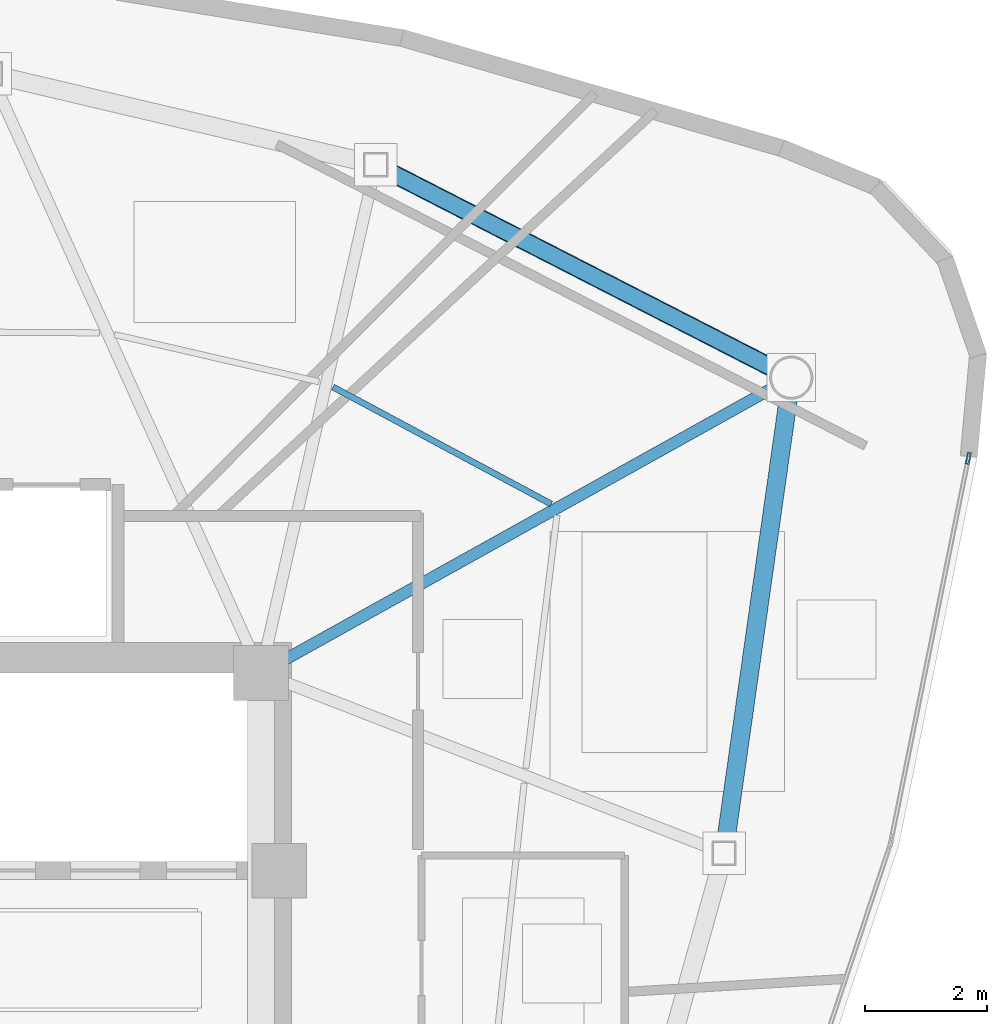
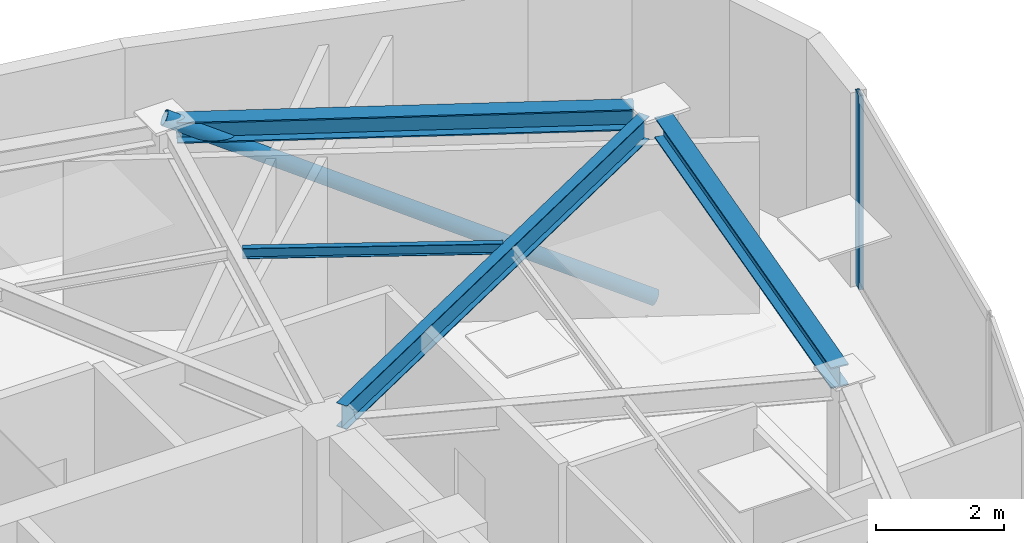
# One storey, part 6 of 13: 4 beams, 2 members, 1 element without a shape of its own.
"""IFC4 building model written with IfcOpenShell, lengths in metres."""

import ifcopenshell
import ifcopenshell.guid

model = None  # the IFC model being written
_history = None  # IfcOwnerHistory: only IFC2X3 demands one
_inside = {}  # id of a spatial element -> (the spatial element, [elements in it])
_under = {}  # id of a project, library or spatial element -> (it, [spatial elements below it])
_declared = {}  # id of a project -> (the project, [libraries it declares])
_typed = {}  # id of a type object -> (the type object, [elements of that type])
_made_of = {}  # id of a material, layer set ... -> (it, [elements and type objects made of it])


def new_model(schema):
    """Start an empty IFC model of exactly this schema.

    Asked for "IFC4X3", IfcOpenShell would pick the latest addendum, in which some entities
    have other attributes; the version numbers below select the first issue.
    IFC2X3 requires an IfcOwnerHistory on every rooted entity: one is made here for all.
    """
    global model, _history
    if schema == "IFC4X3":
        model = ifcopenshell.file(schema_version=(4, 3, 0, 0))
    else:
        model = ifcopenshell.file(schema=schema)
    _inside.clear()
    _under.clear()
    _declared.clear()
    _typed.clear()
    _made_of.clear()
    _history = None
    if model.schema == "IFC2X3":
        org = make("IfcOrganization", Name="unknown")
        user = make(
            "IfcPersonAndOrganization",
            ThePerson=make("IfcPerson", FamilyName="unknown"),
            TheOrganization=org,
        )
        app = make(
            "IfcApplication",
            ApplicationDeveloper=org,
            Version="unknown",
            ApplicationFullName="unknown",
            ApplicationIdentifier="unknown",
        )
        _history = make(
            "IfcOwnerHistory",
            OwningUser=user,
            OwningApplication=app,
            ChangeAction="ADDED",
            CreationDate=0,
        )
    return model


def make(cls, **values):
    """One entity of the class cls with the attributes given. An attribute that is None is left unset."""
    return model.create_entity(
        cls, **{name: value for name, value in values.items() if value is not None}
    )


def rooted(cls, **values):
    """An entity with a GlobalId (a new one), such as an element, a storey or a relation."""
    return make(cls, GlobalId=ifcopenshell.guid.new(), OwnerHistory=_history, **values)


def si_unit(unit_type, name, prefix=None):
    """IfcSIUnit, for example si_unit("LENGTHUNIT", "METRE", prefix="MILLI")."""
    return make("IfcSIUnit", UnitType=unit_type, Prefix=prefix, Name=name)


def assignment(units):
    """IfcUnitAssignment: the units of a project."""
    return None if units is None else make("IfcUnitAssignment", Units=units)


def point(xyz):
    """IfcCartesianPoint."""
    return None if xyz is None else make("IfcCartesianPoint", Coordinates=xyz)


def direction(xyz):
    """IfcDirection."""
    return None if xyz is None else make("IfcDirection", DirectionRatios=xyz)


def frame(location, z_axis=None, x_axis=None):
    """IfcAxis2Placement3D, a coordinate frame: its origin and axes. An axis left out is left unset."""
    return make(
        "IfcAxis2Placement3D",
        Location=point(location),
        Axis=direction(z_axis),
        RefDirection=direction(x_axis),
    )


def frame_2d(location, x_axis=None):
    """IfcAxis2Placement2D, a coordinate frame in the plane: its origin and x axis."""
    return make(
        "IfcAxis2Placement2D", Location=point(location), RefDirection=direction(x_axis)
    )


def origin():
    """The frame at (0, 0, 0) with its axes left unset."""
    return frame((0.0, 0.0, 0.0))


def origin_2d():
    """The frame at (0, 0) in the plane with its x axis left unset."""
    return frame_2d((0.0, 0.0))


def place(relative_to, where):
    """IfcLocalPlacement: puts the frame where relative to a parent placement (None: the world)."""
    return make(
        "IfcLocalPlacement", PlacementRelTo=relative_to, RelativePlacement=where
    )


def context(
    kind, dimensions, precision=None, world=None, true_north=None, identifier=None
):
    """IfcGeometricRepresentationContext, for example the 3D "Model" context."""
    return make(
        "IfcGeometricRepresentationContext",
        ContextIdentifier=identifier,
        ContextType=kind,
        CoordinateSpaceDimension=dimensions,
        Precision=precision,
        WorldCoordinateSystem=world,
        TrueNorth=true_north,
    )


def subcontext(parent, identifier, kind, view, scale=None):
    """IfcGeometricRepresentationSubContext, for example "Body" below "Model"."""
    return make(
        "IfcGeometricRepresentationSubContext",
        ContextIdentifier=identifier,
        ContextType=kind,
        ParentContext=parent,
        TargetScale=scale,
        TargetView=view,
    )


def project(units=None, contexts=None):
    """IfcProject with its units and contexts."""
    return rooted(
        "IfcProject",
        Name="project",
        RepresentationContexts=contexts,
        UnitsInContext=assignment(units),
    )


def spatial(cls, under=None, at=None, **own):
    """A site, building, storey or space (cls), placed at a placement, below another one or the project."""
    s = rooted(cls, ObjectPlacement=at, **own)
    if under is not None:
        _under.setdefault(under.id(), (under, []))[1].append(s)
    return s


def profile(cls, at=None, kind="AREA", **sizes):
    """A parametric profile (cls). Its sizes go by their IFC names, for example OverallWidth=200.0."""
    return make(cls, ProfileType=kind, Position=at, **sizes)


def hollow_rectangle(**sizes):
    """IfcRectangleHollowProfileDef."""
    return profile("IfcRectangleHollowProfileDef", **sizes)


def hollow_circle(**sizes):
    """IfcCircleHollowProfileDef."""
    return profile("IfcCircleHollowProfileDef", **sizes)


def i_section(**sizes):
    """IfcIShapeProfileDef."""
    return profile("IfcIShapeProfileDef", **sizes)


def extrude(swept, where, along, depth):
    """IfcExtrudedAreaSolid: the profile swept, set in the frame where, extruded along a direction by depth."""
    return make(
        "IfcExtrudedAreaSolid",
        SweptArea=swept,
        Position=where,
        ExtrudedDirection=direction(along),
        Depth=depth,
    )


def shape(context_of_items, identifier, shape_type, items):
    """IfcShapeRepresentation: the items that make up one representation, for example the "Body"."""
    return make(
        "IfcShapeRepresentation",
        ContextOfItems=context_of_items,
        RepresentationIdentifier=identifier,
        RepresentationType=shape_type,
        Items=items,
    )


def source(mapping_origin, context_of_items, identifier, shape_type, items):
    """IfcRepresentationMap: a shape defined once, which mapped items show again and again."""
    return make(
        "IfcRepresentationMap",
        MappingOrigin=mapping_origin,
        MappedRepresentation=shape(context_of_items, identifier, shape_type, items),
    )


def transform(
    local_origin,
    x_axis=None,
    y_axis=None,
    z_axis=None,
    scale=None,
    scale2=None,
    scale3=None,
    uniform=True,
):
    """IfcCartesianTransformationOperator3D, or its non-uniform kind. x_axis, y_axis, z_axis: its Axis1, 2, 3."""
    if uniform:
        return make(
            "IfcCartesianTransformationOperator3D",
            Axis1=direction(x_axis),
            Axis2=direction(y_axis),
            LocalOrigin=point(local_origin),
            Scale=scale,
            Axis3=direction(z_axis),
        )
    return make(
        "IfcCartesianTransformationOperator3DnonUniform",
        Axis1=direction(x_axis),
        Axis2=direction(y_axis),
        LocalOrigin=point(local_origin),
        Scale=scale,
        Axis3=direction(z_axis),
        Scale2=scale2,
        Scale3=scale3,
    )


def mapped(mapping_source, mapping_target):
    """IfcMappedItem: shows the shape of a source again, moved by a transform."""
    return make(
        "IfcMappedItem", MappingSource=mapping_source, MappingTarget=mapping_target
    )


def material(Name=None, Category=None):
    """IfcMaterial."""
    return make("IfcMaterial", Name=Name, Category=Category)


def layer(
    of_material, thickness, ventilated=None, Name=None, Category=None, Priority=None
):
    """IfcMaterialLayer: one layer of a wall or slab, of a material (None: an air gap)."""
    return make(
        "IfcMaterialLayer",
        Material=of_material,
        LayerThickness=thickness,
        IsVentilated=ventilated,
        Name=Name,
        Category=Category,
        Priority=Priority,
    )


def layer_set(layers, Name=None):
    """IfcMaterialLayerSet."""
    return make("IfcMaterialLayerSet", MaterialLayers=layers, LayerSetName=Name)


def material_profile(
    of_material, cross_section, Name=None, Category=None, Priority=None
):
    """IfcMaterialProfile: a cross section and its material."""
    return make(
        "IfcMaterialProfile",
        Name=Name,
        Material=of_material,
        Profile=cross_section,
        Priority=Priority,
        Category=Category,
    )


def profile_set(profiles, Name=None, composite=None):
    """IfcMaterialProfileSet."""
    return make(
        "IfcMaterialProfileSet",
        Name=Name,
        MaterialProfiles=profiles,
        CompositeProfile=composite,
    )


def made_of(thing, what):
    """Note that an element or type object is made of a material, layer set ...; save() writes the relation."""
    if what is not None:
        _made_of.setdefault(what.id(), (what, []))[1].append(thing)
    return thing


def type_object(cls, material=None, **own):
    """A type object (cls), such as IfcWallType, which elements share."""
    return made_of(rooted(cls, **own), material)


def type_shapes(of_type, sources):
    """Give a type object the sources (RepresentationMaps) that its elements show as mapped items."""
    of_type.RepresentationMaps = sources


def element(
    cls,
    number,
    at=None,
    inside=None,
    cuts=None,
    type_object=None,
    material=None,
    context=None,
    identifier="Body",
    shape_type=None,
    held_by="IfcProductDefinitionShape",
    body=None,
    shapes=None,
    **own,
):
    """One element of the class cls, such as IfcWall. Its Tag is "e" and its number.

    at: its placement. inside: the storey or other place that contains it. cuts: it is an
    opening in that element (IfcRelVoidsElement). A single representation is given by context,
    identifier, shape_type and body (its items); several are given by shapes. held_by: the class
    of the entity that holds the representations. save() writes the other relations.
    """
    e = rooted(cls, Tag="e%d" % number, ObjectPlacement=at, **own)
    if body is not None:
        shapes = [shape(context, identifier, shape_type, body)]
    if shapes is not None:
        e.Representation = make(held_by, Representations=shapes)
    if inside is not None:
        _inside.setdefault(inside.id(), (inside, []))[1].append(e)
    if cuts is not None:
        rooted(
            "IfcRelVoidsElement", RelatingBuildingElement=cuts, RelatedOpeningElement=e
        )
    if type_object is not None:
        _typed.setdefault(type_object.id(), (type_object, []))[1].append(e)
    return made_of(e, material)


def aggregate(whole, parts):
    """IfcRelAggregates: a whole, such as a stair, and the parts it consists of."""
    return rooted("IfcRelAggregates", RelatingObject=whole, RelatedObjects=parts)


def save(model, path):
    """Write the relations noted so far, then the file.

    IfcRelAggregates (storeys below a building ...), IfcRelContainedInSpatialStructure (elements
    in a storey), IfcRelDefinesByType, IfcRelAssociatesMaterial and IfcRelDeclares: one each for
    every whole, place, type object, material and project.
    """
    for whole, parts in _under.values():
        aggregate(whole, parts)
    for where, things in _inside.values():
        rooted(
            "IfcRelContainedInSpatialStructure",
            RelatedElements=things,
            RelatingStructure=where,
        )
    for kind, things in _typed.values():
        rooted("IfcRelDefinesByType", RelatedObjects=things, RelatingType=kind)
    for what, things in _made_of.values():
        rooted("IfcRelAssociatesMaterial", RelatedObjects=things, RelatingMaterial=what)
    for by, libraries in _declared.values():
        rooted("IfcRelDeclares", RelatingContext=by, RelatedDefinitions=libraries)
    model.write(path)


model = new_model("IFC4")

# Units and contexts
model_context = context("Model", 3, precision=1e-05, world=origin(), true_north=direction((0.0, 1.0)))
body_context = subcontext(model_context, "Body", "Model", "MODEL_VIEW")
ifc_project = project(units=[si_unit("LENGTHUNIT", "METRE"), si_unit("AREAUNIT", "SQUARE_METRE"), si_unit("VOLUMEUNIT", "CUBIC_METRE"), si_unit("PLANEANGLEUNIT", "RADIAN"), si_unit("MASSUNIT", "GRAM", prefix="KILO")], contexts=[model_context])

# Site, building, storey
site_placement = place(None, origin())
site = spatial("IfcSite", under=ifc_project, at=site_placement, CompositionType="ELEMENT")
building_placement = place(site_placement, origin())
building = spatial("IfcBuilding", under=site, at=building_placement, Name="Tavelor Broadcast Tower", CompositionType="ELEMENT")
storey_placement = place(building_placement, frame((0.0, 0.0, 301.5)))
storey = spatial("IfcBuildingStorey", under=building, at=storey_placement, Name="L72", CompositionType="ELEMENT", Elevation=301.5)

# Beams
ifc_material_1 = material(Name="Steel S355", Category="steel")
ifc_material_profile_1 = material_profile(ifc_material_1, i_section(OverallWidth=0.10009765625, OverallDepth=0.199951171875, WebThickness=0.005615234375, FlangeThickness=0.008544921875, at=origin_2d()), Name="IPE 200")
ifc_profile_set_1 = profile_set([ifc_material_profile_1], Name="Steel S355")
beam_type_1 = type_object("IfcBeamType", Name="Composite Floor Joist T8 IPE 200", PredefinedType="JOIST", material=ifc_profile_set_1)
beam_1_placement = place(storey_placement, frame((61.372802734375, 53.97705078125, 3.60009765625), z_axis=(-0.881270485995, 0.47261224118, 0.0), x_axis=(-0.47261224118, -0.881270485995, 0.0)))
element("IfcBeam", 1, at=beam_1_placement, inside=storey, type_object=beam_type_1, Name="L72 Secondary Composite Floor Joist 13", PredefinedType="JOIST", context=body_context, shape_type="SweptSolid", body=[
    extrude(i_section(OverallWidth=0.10009765625, OverallDepth=0.199951171875, WebThickness=0.005615234375, FlangeThickness=0.008544921875, at=origin_2d()), origin(), (0.0, 0.0, 1.0), 4.0732421875),
])
ifc_material_profile_2 = material_profile(ifc_material_1, i_section(OverallWidth=0.300048828125, OverallDepth=0.39990234375, WebThickness=0.013427734375, FlangeThickness=0.02392578125, at=origin_2d()), Name="HEB 400")
ifc_profile_set_2 = profile_set([ifc_material_profile_2], Name="Steel S355")
beam_type_2 = type_object("IfcBeamType", Name="Perimeter Spandrel Beam T8 HEB 400", PredefinedType="SPANDREL", material=ifc_profile_set_2)
beam_2_placement = place(storey_placement, frame((64.2412109375, 48.427490234375, 3.5), z_axis=(0.139963539529, 0.990156658111, 0.0), x_axis=(-0.990156658111, 0.139963539529, 0.0)))
element("IfcBeam", 2, at=beam_2_placement, inside=storey, type_object=beam_type_2, Name="L72 Framed-Tube Ring Spandrel 12", PredefinedType="SPANDREL", context=body_context, shape_type="SweptSolid", body=[
    extrude(i_section(OverallWidth=0.300048828125, OverallDepth=0.39990234375, WebThickness=0.013427734375, FlangeThickness=0.02392578125, at=origin_2d()), origin(), (0.0, 0.0, 1.0), 7.36279296875),
])
beam_3_placement = place(storey_placement, frame((65.015869140625, 56.211181640625, 3.5), z_axis=(-0.889983170291, 0.455993373415, 0.0), x_axis=(-0.455993373415, -0.889983170291, 0.0)))
element("IfcBeam", 3, at=beam_3_placement, inside=storey, type_object=beam_type_2, Name="L72 Framed-Tube Ring Spandrel 13", PredefinedType="SPANDREL", context=body_context, shape_type="SweptSolid", body=[
    extrude(i_section(OverallWidth=0.300048828125, OverallDepth=0.39990234375, WebThickness=0.013427734375, FlangeThickness=0.02392578125, at=origin_2d()), origin(), (0.0, 0.0, 1.0), 7.1455078125),
])

# Member
ifc_material_profile_3 = material_profile(ifc_material_1, hollow_circle(Radius=0.136474609375, WallThickness=0.012451171875, at=origin_2d()), Name="CHS 273x12.5")
ifc_profile_set_3 = profile_set([ifc_material_profile_3], Name="Steel S355")
member_type_1 = type_object("IfcMemberType", Name="Perimeter Tube Brace T8 CHS 273x12.5", PredefinedType="BRACE", material=ifc_profile_set_3)
member_1_placement = place(storey_placement, frame((65.319580078125, 56.0556640625, 0.0), z_axis=(-0.801763897696, 0.410792291396, 0.434078732123), x_axis=(-0.455992584505, -0.889983574498, 0.0)))
element("IfcMember", 4, at=member_1_placement, inside=storey, type_object=member_type_1, Name="L72 Corner Tube Diagonal Brace 3", PredefinedType="BRACE", context=body_context, shape_type="SweptSolid", body=[
    extrude(hollow_circle(Radius=0.136474609375, WallThickness=0.012451171875, at=origin_2d()), origin(), (0.0, 0.0, 1.0), 8.523681640625),
])

# Beam
ifc_material_profile_4 = material_profile(ifc_material_1, i_section(OverallWidth=0.18994140625, OverallDepth=0.449951171875, WebThickness=0.009521484375, FlangeThickness=0.0146484375, at=origin_2d()), Name="IPE 450")
ifc_profile_set_4 = profile_set([ifc_material_profile_4], Name="Steel S355")
beam_type_3 = type_object("IfcBeamType", Name="Radial Floor Girder T8 IPE 450", PredefinedType="BEAM", material=ifc_profile_set_4)
beam_4_placement = place(storey_placement, frame((56.977294921875, 51.41015625, 3.47509765625), z_axis=(0.87366652502, 0.486525233734, 0.0), x_axis=(-0.486525233734, 0.87366652502, 0.0)))
element("IfcBeam", 5, at=beam_4_placement, inside=storey, type_object=beam_type_3, Name="L72 Radial Primary Floor Girder 13", PredefinedType="BEAM", context=body_context, shape_type="SweptSolid", body=[
    extrude(i_section(OverallWidth=0.18994140625, OverallDepth=0.449951171875, WebThickness=0.009521484375, FlangeThickness=0.0146484375, at=origin_2d()), origin(), (0.0, 0.0, 1.0), 9.20703125),
])

# Curtain wall, member
ifc_material_2 = material(Name="Architectural Anodized Aluminium", Category="aluminium")
ifc_layer = layer(ifc_material_2, 0.199951171875)
ifc_layer_set = layer_set([ifc_layer], Name="Architectural Anodized Aluminium")
curtain_wall_type = type_object("IfcCurtainWallType", Name="Tower High-Zone Triple-Glazed Curtain Wall CW04", PredefinedType="NOTDEFINED", material=ifc_layer_set)
curtain_wall_placement = place(storey_placement, origin())
curtain_wall = element("IfcCurtainWall", 6, at=curtain_wall_placement, inside=storey, type_object=curtain_wall_type, Name="L72 Curtain Wall CW04 Run 800", PredefinedType="NOTDEFINED")
ifc_material_profile_5 = material_profile(ifc_material_2, hollow_rectangle(XDim=0.070068359375, YDim=0.199951171875, WallThickness=0.02197265625, at=origin_2d()), Name="RHS 70x200x22")
ifc_profile_set_5 = profile_set([ifc_material_profile_5], Name="Architectural Anodized Aluminium")
member_type_2 = type_object("IfcMemberType", Name="CW04 Extruded Aluminium Mullion 70x200", PredefinedType="MULLION", material=ifc_profile_set_5)
shared_shape = source(origin(), body_context, "Body", "SweptSolid", [
    extrude(hollow_rectangle(XDim=0.070068359375, YDim=0.199951171875, WallThickness=0.02197265625, at=origin_2d()), origin(), (0.0, 0.0, 1.0), 3.699951171875),
])
type_shapes(member_type_2, [shared_shape])
member_2_placement = place(storey_placement, frame((68.230712890625, 54.72998046875, 0.0), z_axis=(0.0, 0.0, 1.0), x_axis=(-0.980187766504, 0.198070549038, 0.0)))
member_2 = element("IfcMember", 7, at=member_2_placement, type_object=member_type_2, Name="CW04 mullion 2", PredefinedType="MULLION", context=body_context, shape_type="MappedRepresentation", body=[
    mapped(shared_shape, transform((0.0, 0.0, 0.0), scale=1.0)),
])
aggregate(curtain_wall, [member_2])

save(model, "model.ifc")
